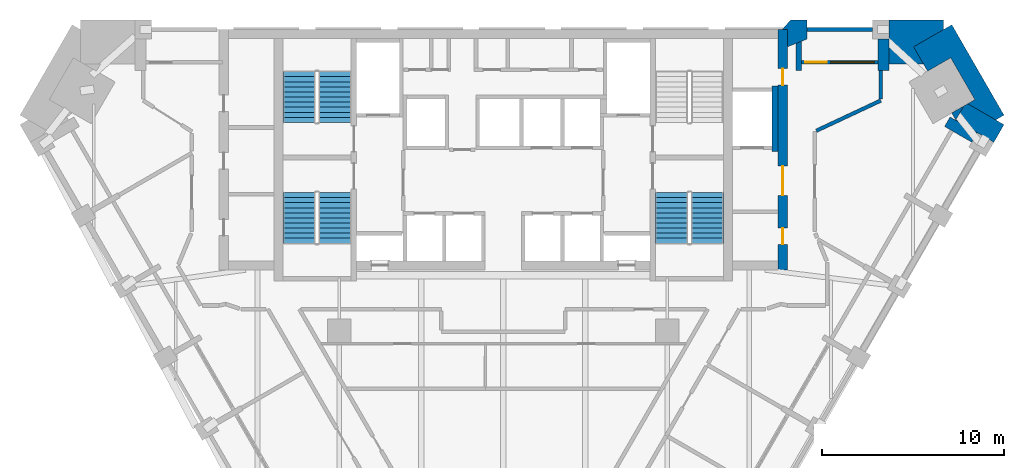
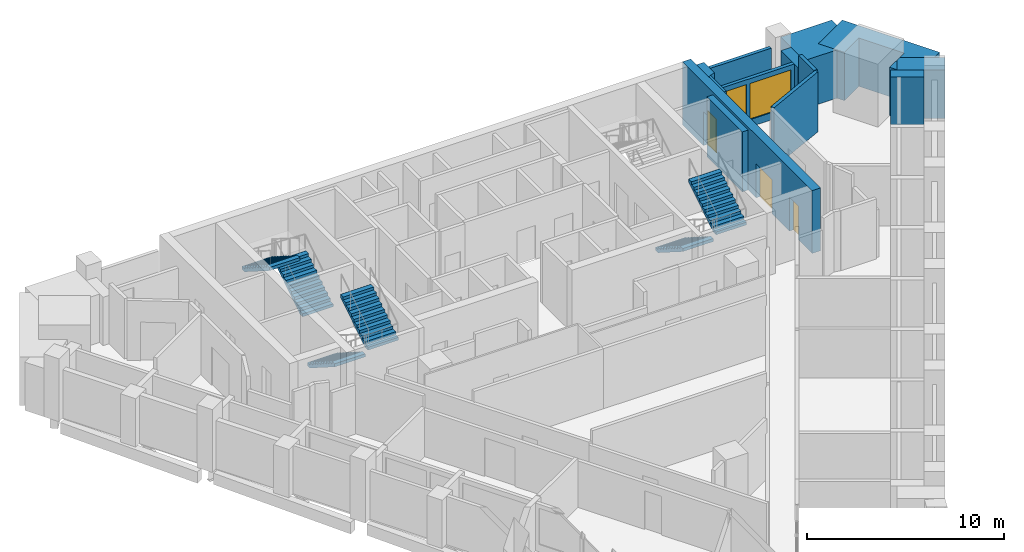
# One storey, part 8 of 10: 14 walls, 6 stair flights, 4 doors, 1 window, 5 openings, 3 elements without a shape of their own.
"""IFC4 building model written with IfcOpenShell, lengths in metres."""

from ifc_helpers import new_model, si_unit, direction, frame, frame_2d, origin, place, context, subcontext, project, spatial, polyline, rectangle, outline, extrude, faceted_brep, source, transform, mapped, material, layer, layer_set, type_object, element, fill, aggregate, save


model = new_model("IFC4")

# Units and contexts
model_context = context("Model", 3, precision=1e-05, world=origin(), true_north=direction((0.0, 1.0)))
body_context = subcontext(model_context, "Body", "Model", "MODEL_VIEW")
ifc_project = project(units=[si_unit("LENGTHUNIT", "METRE"), si_unit("AREAUNIT", "SQUARE_METRE"), si_unit("VOLUMEUNIT", "CUBIC_METRE"), si_unit("PLANEANGLEUNIT", "RADIAN"), si_unit("MASSUNIT", "GRAM", prefix="KILO")], contexts=[model_context])

# Site, building, storey
site_placement = place(None, origin())
site = spatial("IfcSite", under=ifc_project, at=site_placement, CompositionType="ELEMENT")
building_placement = place(site_placement, origin())
building = spatial("IfcBuilding", under=site, at=building_placement, Name="Calabash Gate Tower", CompositionType="ELEMENT")
storey_placement = place(building_placement, frame((0.0, 0.0, 175.800048828125)))
storey = spatial("IfcBuildingStorey", under=building, at=storey_placement, Name="L41", CompositionType="ELEMENT", Elevation=175.800048828125)

# Walls
ifc_material_1 = material(Name="Terracotta brick masonry, exposed face", Category="masonry")
ifc_layer_1 = layer(ifc_material_1, 2.425048828125)
ifc_layer_set_1 = layer_set([ifc_layer_1], Name="Brick corner mass wall 2425")
wall_type_1 = type_object("IfcWallType", Name="Brick corner mass wall 2425", PredefinedType="SOLIDWALL", material=ifc_layer_set_1)
wall_1_placement = place(storey_placement, origin())
element("IfcWall", 1, at=wall_1_placement, inside=storey, type_object=wall_type_1, Name="Brick corner pier S11 3a", PredefinedType="SOLIDWALL", context=body_context, shape_type="SweptSolid", body=[
    extrude(outline(polyline([(24.842529296875, 14.07275390625), (26.942626953125, 12.8603515625), (27.5009765625, 13.827392578125), (25.5068359375, 14.978759765625), (25.294921875, 14.8564453125), (24.842529296875, 14.07275390625)])), origin(), (0.0, 0.0, 1.0), 3.0),
])
wall_2_placement = place(storey_placement, origin())
element("IfcWall", 2, at=wall_2_placement, inside=storey, type_object=wall_type_1, Name="Brick corner pier S11 3ba", PredefinedType="SOLIDWALL", context=body_context, shape_type="SweptSolid", body=[
    extrude(outline(polyline([(24.852294921875, 14.08984375), (25.294921875, 14.8564453125), (24.631103515625, 14.47314453125), (24.852294921875, 14.08984375)])), origin(), (0.0, 0.0, 1.0), 3.0),
])
wall_3_placement = place(storey_placement, origin())
element("IfcWall", 3, at=wall_3_placement, inside=storey, type_object=wall_type_1, Name="Brick corner pier S11 3bb", PredefinedType="SOLIDWALL", context=body_context, shape_type="SweptSolid", body=[
    extrude(outline(polyline([(24.572021484375, 17.4990234375), (25.89697265625, 15.2041015625), (25.343994140625, 14.884765625), (25.5068359375, 14.978759765625), (27.04638671875, 14.08984375), (27.5009765625, 14.352294921875), (24.6357421875, 19.31494140625), (22.53564453125, 18.1025390625), (23.30615234375, 16.76806640625), (24.572021484375, 17.4990234375)])), origin(), (0.0, 0.0, 1.0), 3.0),
])
wall_4_placement = place(storey_placement, origin())
element("IfcWall", 4, at=wall_4_placement, inside=storey, type_object=wall_type_1, Name="Brick corner pier S11 3c", PredefinedType="SOLIDWALL", context=body_context, shape_type="SweptSolid", body=[
    extrude(outline(polyline([(21.1796875, 18.528076171875), (21.1796875, 17.152587890625), (23.084228515625, 17.152587890625), (22.53564453125, 18.1025390625), (24.18115234375, 19.052490234375), (24.18115234375, 19.57763671875), (21.179931640625, 19.57763671875), (21.179931640625, 18.528076171875), (21.1796875, 18.528076171875)])), origin(), (0.0, 0.0, 1.0), 3.0),
])
ifc_material_2 = material(Name="Terracotta brick masonry, exposed face", Category="masonry")
ifc_layer_2 = layer(ifc_material_2, 1.050048828125)
ifc_layer_set_2 = layer_set([ifc_layer_2], Name="Brick end wall 1050")
wall_type_2 = type_object("IfcWallType", Name="Brick end wall 1050", PredefinedType="SOLIDWALL", material=ifc_layer_set_2)
wall_5_placement = place(storey_placement, origin())
element("IfcWall", 5, at=wall_5_placement, inside=storey, type_object=wall_type_2, Name="Brick pier S11 N6.1", PredefinedType="SOLIDWALL", context=body_context, shape_type="SweptSolid", body=[
    extrude(outline(polyline([(15.60009765625, 18.104248046875), (16.6796875, 18.527587890625), (16.6796875, 19.57763671875), (15.779541015625, 19.57763671875), (15.319580078125, 19.052490234375), (15.60009765625, 19.052490234375), (15.60009765625, 18.104248046875)])), origin(), (0.0, 0.0, 1.0), 3.0),
])
ifc_material_3 = material(Name="Terracotta brick masonry, exposed face", Category="masonry")
ifc_layer_3 = layer(ifc_material_3, 0.300048828125)
ifc_layer_set_3 = layer_set([ifc_layer_3], Name="Brick loggia cheek wall 300")
wall_type_3 = type_object("IfcWallType", Name="Brick loggia cheek wall 300", PredefinedType="SOLIDWALL", material=ifc_layer_set_3)
wall_6_placement = place(storey_placement, frame((25.88330078125, 13.12548828125, 0.0), z_axis=(0.0, 0.0, 1.0), x_axis=(-0.866013532718, 0.500020560727, 0.0)))
element("IfcWall", 6, at=wall_6_placement, inside=storey, type_object=wall_type_3, Name="Loggia cheek S11 SE4.8", PredefinedType="SOLIDWALL", context=body_context, shape_type="SweptSolid", body=[
    extrude(rectangle(XDim=1.72509765625, YDim=0.60009765625, at=frame_2d((0.862548828125, 0.0))), origin(), (0.0, 0.0, 1.0), 3.0),
])
wall_7_placement = place(storey_placement, origin())
element("IfcWall", 7, at=wall_7_placement, inside=storey, type_object=wall_type_3, Name="Loggia cheek S11 N6.0", PredefinedType="SOLIDWALL", context=body_context, shape_type="SweptSolid", body=[
    extrude(outline(polyline([(21.1796875, 16.802490234375), (21.1796875, 18.527587890625), (20.57958984375, 18.527587890625), (20.57958984375, 16.802490234375), (21.1796875, 16.802490234375)])), origin(), (0.0, 0.0, 1.0), 3.0),
])
wall_8_placement = place(storey_placement, origin())
element("IfcWall", 8, at=wall_8_placement, inside=storey, type_object=wall_type_3, Name="Loggia cheek S11 N6.1", PredefinedType="SOLIDWALL", context=body_context, shape_type="SweptSolid", body=[
    extrude(outline(polyline([(16.07958984375, 18.292236328125), (16.07958984375, 16.802490234375), (16.379638671875, 16.802490234375), (16.379638671875, 18.409912109375), (16.07958984375, 18.292236328125)])), origin(), (0.0, 0.0, 1.0), 3.0),
])

# Wall, openings, doors
ifc_material_4 = material(Name="Concrete C70/85", Category="concrete")
ifc_layer_4 = layer(ifc_material_4, 0.5)
ifc_layer_set_4 = layer_set([ifc_layer_4], Name="Core wall 500 Concrete C70/85")
wall_type_4 = type_object("IfcWallType", Name="Core wall 500 Concrete C70/85", PredefinedType="SHEAR", material=ifc_layer_set_4)
wall_9_placement = place(storey_placement, frame((15.35009765625, 5.8525390625, 0.0), z_axis=(0.0, 0.0, 1.0), x_axis=(0.0, 1.0, 0.0)))
wall_9 = element("IfcWall", 9, at=wall_9_placement, inside=storey, type_object=wall_type_4, Name="Core wall Z3-ENDE L41", PredefinedType="SHEAR", context=body_context, shape_type="SweptSolid", body=[
    extrude(rectangle(XDim=13.199951171875, YDim=0.5, at=frame_2d((6.60009765625, 0.0))), origin(), (0.0, 0.0, 1.0), 3.89990234375),
])
opening_1_placement = place(wall_9_placement, frame((4.10009765625, 0.0, 0.0)))
opening_1 = element("IfcOpeningElement", 10, at=opening_1_placement, cuts=wall_9, Name="Opening O3-003", PredefinedType="OPENING", context=body_context, shape_type="SweptSolid", body=[
    extrude(rectangle(XDim=1.60009765625, YDim=2.10009765625, at=frame_2d((0.800048828125, 1.050048828125))), frame((0.0, 0.260009765625, 0.0), z_axis=(0.0, -1.0, 0.0), x_axis=(1.0, 0.0, 0.0)), (0.0, 0.0, 1.0), 0.52001953125),
])
opening_2_placement = place(wall_9_placement, frame((1.39990234375, 0.0, 0.0)))
opening_2 = element("IfcOpeningElement", 11, at=opening_2_placement, cuts=wall_9, Name="Opening O3-001", PredefinedType="OPENING", context=body_context, shape_type="SweptSolid", body=[
    extrude(rectangle(XDim=0.89990234375, YDim=2.10009765625, at=frame_2d((0.449951171875, 1.050048828125))), frame((0.0, 0.260009765625, 0.0), z_axis=(0.0, -1.0, 0.0), x_axis=(1.0, 0.0, 0.0)), (0.0, 0.0, 1.0), 0.52001953125),
])
opening_3_placement = place(wall_9_placement, frame((10.14990234375, 0.0, 0.0)))
opening_3 = element("IfcOpeningElement", 12, at=opening_3_placement, cuts=wall_9, Name="Opening O3-002", PredefinedType="OPENING", context=body_context, shape_type="SweptSolid", body=[
    extrude(rectangle(XDim=0.89990234375, YDim=2.10009765625, at=frame_2d((0.449951171875, 1.050048828125))), frame((0.0, 0.260009765625, 0.0), z_axis=(0.0, -1.0, 0.0), x_axis=(1.0, 0.0, 0.0)), (0.0, 0.0, 1.0), 0.52001953125),
])
ifc_material_5 = material(Name="Steel fire door set with fire-resisting glazing", Category="steel")
door_type_1 = type_object("IfcDoorType", Name="Double fire door D08 1600x2100 FD60", OperationType="DOUBLE_DOOR_SINGLE_SWING", PredefinedType="DOOR", material=ifc_material_5)
door_1_placement = place(opening_1_placement, origin())
door_1 = element("IfcDoor", 13, at=door_1_placement, inside=storey, type_object=door_type_1, Name="Service Lift Lobby E door", OperationType="DOUBLE_DOOR_SINGLE_SWING", OverallHeight=2.10009765625, OverallWidth=1.60009765625, PredefinedType="DOOR", context=body_context, shape_type="SweptSolid", body=[
    extrude(rectangle(XDim=1.60009765625, YDim=2.10009765625, at=frame_2d((0.800048828125, 1.050048828125))), frame((0.0, 0.02490234375, 0.0), z_axis=(0.0, -1.0, 0.0), x_axis=(1.0, 0.0, 0.0)), (0.0, 0.0, 1.0), 0.050048828125),
])
fill(opening_1, door_1)
ifc_material_6 = material(Name="Steel fire door set with fire-resisting glazing", Category="steel")
door_type_2 = type_object("IfcDoorType", Name="Fire door D06 900x2100 FD60", OperationType="NOTDEFINED", PredefinedType="DOOR", material=ifc_material_6)
door_2_placement = place(opening_2_placement, origin())
door_2 = element("IfcDoor", 14, at=door_2_placement, inside=storey, type_object=door_type_2, Name="Men's WC door", OperationType="SINGLE_SWING_RIGHT", OverallHeight=2.10009765625, OverallWidth=0.89990234375, PredefinedType="DOOR", context=body_context, shape_type="SweptSolid", body=[
    extrude(rectangle(XDim=0.89990234375, YDim=2.10009765625, at=frame_2d((0.449951171875, 1.050048828125))), frame((0.0, 0.02490234375, 0.0), z_axis=(0.0, -1.0, 0.0), x_axis=(1.0, 0.0, 0.0)), (0.0, 0.0, 1.0), 0.050048828125),
])
fill(opening_2, door_2)
door_3_placement = place(opening_3_placement, origin())
door_3 = element("IfcDoor", 15, at=door_3_placement, inside=storey, type_object=door_type_2, Name="Tenant Pantry door", OperationType="SINGLE_SWING_LEFT", OverallHeight=2.10009765625, OverallWidth=0.89990234375, PredefinedType="DOOR", context=body_context, shape_type="SweptSolid", body=[
    extrude(rectangle(XDim=0.89990234375, YDim=2.10009765625, at=frame_2d((0.449951171875, 1.050048828125))), frame((0.0, 0.02490234375, 0.0), z_axis=(0.0, -1.0, 0.0), x_axis=(1.0, 0.0, 0.0)), (0.0, 0.0, 1.0), 0.050048828125),
])
fill(opening_3, door_3)

# Walls
ifc_material_7 = material(Name="Gypsum board on steel studs, mineral wool", Category="steel")
ifc_layer_5 = layer(ifc_material_7, 0.199951171875)
ifc_layer_set_5 = layer_set([ifc_layer_5], Name="Partition 200 gypsum board EI 60")
wall_type_5 = type_object("IfcWallType", Name="Partition 200 gypsum board EI 60", PredefinedType="PARTITIONING", material=ifc_layer_set_5)
wall_10_placement = place(storey_placement, frame((17.191162109375, 13.49462890625, 0.0), z_axis=(0.0, 0.0, 1.0), x_axis=(0.905591697206, 0.424150536898, 0.0)))
element("IfcWall", 16, at=wall_10_placement, inside=storey, type_object=wall_type_5, Name="Partition", PredefinedType="PARTITIONING", context=body_context, shape_type="SweptSolid", body=[
    extrude(rectangle(XDim=3.90771484375, YDim=0.199951171875, at=frame_2d((1.953857421875, 0.0))), origin(), (0.0, 0.0, 1.0), 3.72998046875),
])
wall_11_placement = place(storey_placement, frame((20.72998046875, 15.252197265625, 0.0), z_axis=(0.0, 0.0, 1.0), x_axis=(0.000157480313, 0.9999999876, 0.0)))
element("IfcWall", 17, at=wall_11_placement, inside=storey, type_object=wall_type_5, Name="Partition", PredefinedType="PARTITIONING", context=body_context, shape_type="SweptSolid", body=[
    extrude(rectangle(XDim=1.55029296875, YDim=0.199951171875, at=frame_2d((0.775146484375, 0.0))), origin(), (0.0, 0.0, 1.0), 3.72998046875),
])
ifc_material_8 = material(Name="Concrete C40/50", Category="concrete")
ifc_layer_6 = layer(ifc_material_8, 0.199951171875)
ifc_layer_set_6 = layer_set([ifc_layer_6], Name="Shaft wall 200 Concrete C40/50")
wall_type_6 = type_object("IfcWallType", Name="Shaft wall 200 Concrete C40/50", PredefinedType="SOLIDWALL", material=ifc_layer_set_6)
wall_12_placement = place(storey_placement, frame((14.925048828125, 12.3525390625, 0.0), z_axis=(0.0, 0.0, 1.0), x_axis=(0.0, 1.0, 0.0)))
element("IfcWall", 18, at=wall_12_placement, inside=storey, type_object=wall_type_6, Name="Shaft wall", PredefinedType="SOLIDWALL", context=body_context, shape_type="SweptSolid", body=[
    extrude(rectangle(XDim=3.60009765625, YDim=0.35009765625, at=frame_2d((1.800048828125, 0.0))), origin(), (0.0, 0.0, 1.0), 3.72998046875),
])
ifc_material_9 = material(Name="Terracotta brick masonry, perforated", Category="masonry")
ifc_layer_7 = layer(ifc_material_9, 0.199951171875)
ifc_layer_set_7 = layer_set([ifc_layer_7], Name="Terracotta jaali screen A")
wall_type_7 = type_object("IfcWallType", Name="Terracotta jaali screen A", PredefinedType="SOLIDWALL", material=ifc_layer_set_7)
wall_13_placement = place(storey_placement, frame((20.279541015625, 19.052490234375, 0.0), z_axis=(0.0, 0.0, 1.0), x_axis=(-1.0, 0.0, 0.0)))
element("IfcWall", 19, at=wall_13_placement, inside=storey, type_object=wall_type_7, Name="SCREEN A S11 N6.1", PredefinedType="SOLIDWALL", context=body_context, shape_type="SweptSolid", body=[
    extrude(rectangle(XDim=3.599853515625, YDim=0.199951171875, at=frame_2d((1.7998046875, 0.0))), origin(), (0.0, 0.0, 1.0), 3.0),
])

# Wall, openings, door, window
ifc_material_10 = material(Name="Aluminium framed window wall with insulated spandrel", Category="aluminium")
ifc_layer_8 = layer(ifc_material_10, 0.199951171875)
ifc_layer_set_8 = layer_set([ifc_layer_8], Name="Window wall 200")
wall_type_8 = type_object("IfcWallType", Name="Window wall 200", PredefinedType="ELEMENTEDWALL", material=ifc_layer_set_8)
wall_14_placement = place(storey_placement, frame((20.57958984375, 17.25244140625, 0.0), z_axis=(0.0, 0.0, 1.0), x_axis=(-1.0, 0.0, 0.0)))
wall_14 = element("IfcWall", 20, at=wall_14_placement, inside=storey, type_object=wall_type_8, Name="Window wall S11 N6.1", PredefinedType="ELEMENTEDWALL", context=body_context, shape_type="SweptSolid", body=[
    extrude(rectangle(XDim=4.199951171875, YDim=0.199951171875, at=frame_2d((2.10009765625, 0.0))), origin(), (0.0, 0.0, 1.0), 3.0),
])
opening_4_placement = place(wall_14_placement, frame((0.199951171875, 0.0, 0.449951171875)))
opening_4 = element("IfcOpeningElement", 21, at=opening_4_placement, cuts=wall_14, Name="Opening OW1", PredefinedType="OPENING", context=body_context, shape_type="SweptSolid", body=[
    extrude(rectangle(XDim=2.39990234375, YDim=2.25, at=frame_2d((1.199951171875, 1.125))), frame((0.0, 0.10986328125, 0.0), z_axis=(0.0, -1.0, 0.0), x_axis=(1.0, 0.0, 0.0)), (0.0, 0.0, 1.0), 0.219970703125),
])
opening_5_placement = place(wall_14_placement, frame((2.800048828125, 0.0, 0.0)))
opening_5 = element("IfcOpeningElement", 22, at=opening_5_placement, cuts=wall_14, Name="Opening O3-021", PredefinedType="OPENING", context=body_context, shape_type="SweptSolid", body=[
    extrude(rectangle(XDim=1.199951171875, YDim=2.699951171875, at=frame_2d((0.60009765625, 1.35009765625))), frame((0.0, 0.10986328125, 0.0), z_axis=(0.0, -1.0, 0.0), x_axis=(1.0, 0.0, 0.0)), (0.0, 0.0, 1.0), 0.219970703125),
])
ifc_material_11 = material(Name="Anodised aluminium frame, bronze finish, impact-rated laminated clear glazing", Category="aluminium")
door_type_3 = type_object("IfcDoorType", Name="Loggia door DO1 1200x2700", OperationType="SLIDING_TO_LEFT", PredefinedType="DOOR", material=ifc_material_11)
door_4_placement = place(opening_5_placement, origin())
door_4 = element("IfcDoor", 23, at=door_4_placement, inside=storey, type_object=door_type_3, Name="Loggia door S11 N6.1", OperationType="SINGLE_SWING_LEFT", OverallHeight=2.699951171875, OverallWidth=1.199951171875, PredefinedType="DOOR", context=body_context, shape_type="SweptSolid", body=[
    extrude(rectangle(XDim=1.199951171875, YDim=2.699951171875, at=frame_2d((0.60009765625, 1.35009765625))), frame((0.0, 0.02490234375, 0.0), z_axis=(0.0, -1.0, 0.0), x_axis=(1.0, 0.0, 0.0)), (0.0, 0.0, 1.0), 0.050048828125),
])
fill(opening_5, door_4)
ifc_material_12 = material(Name="Anodised aluminium frame, bronze finish, impact-rated laminated clear glazing", Category="aluminium")
window_type = type_object("IfcWindowType", Name="Window OW1 2400x2250", PartitioningType="DOUBLE_PANEL_VERTICAL", PredefinedType="WINDOW", material=ifc_material_12)
window_placement = place(opening_4_placement, origin())
window = element("IfcWindow", 24, at=window_placement, inside=storey, type_object=window_type, Name="Window OW1 S11 N6.1", OverallHeight=2.25, OverallWidth=2.39990234375, PartitioningType="SINGLE_PANEL", PredefinedType="WINDOW", context=body_context, shape_type="SweptSolid", body=[
    extrude(rectangle(XDim=2.39990234375, YDim=2.25, at=frame_2d((1.199951171875, 1.125))), frame((0.0, 0.030029296875, 0.0), z_axis=(0.0, -1.0, 0.0), x_axis=(1.0, 0.0, 0.0)), (0.0, 0.0, 1.0), 0.06005859375),
])
fill(opening_4, window)

# Stair, stair flights
ifc_material_13 = material(Name="Concrete C40/50", Category="concrete")
stair_type = type_object("IfcStairType", Name="Exit stair 22 risers of 177.3 mm", PredefinedType="HALF_TURN_STAIR", material=ifc_material_13)
stair_1_placement = place(storey_placement, origin())
stair_1 = element("IfcStair", 25, at=stair_1_placement, inside=storey, type_object=stair_type, Name="L41 Exit stair ST1", PredefinedType="HALF_TURN_STAIR")
ifc_material_14 = material(Name="Concrete C40/50", Category="concrete")
stair_flight_type = type_object("IfcStairFlightType", Name="Exit stair flight SFL", PredefinedType="STRAIGHT", material=ifc_material_14)
shared_shape = source(origin(), body_context, "Body", "Brep", [
    faceted_brep([(-0.0009765625, -0.89990234375, 0.0), (0.279541015625, -0.89990234375, 0.0), (2.791015625, -0.89990234375, 1.59521484375), (-0.0009765625, 0.89990234375, 0.0), (2.791015625, 0.89990234375, 1.59521484375), (0.279541015625, 0.89990234375, 0.0), (2.791015625, -0.89990234375, 1.78466796875), (2.7900390625, -0.89990234375, 1.78466796875), (2.7900390625, 0.89990234375, 1.78466796875), (2.791015625, 0.89990234375, 1.78466796875), (2.7900390625, -0.89990234375, 1.772705078125), (2.7900390625, 0.89990234375, 1.772705078125), (2.510986328125, -0.89990234375, 1.772705078125), (2.510986328125, 0.89990234375, 1.772705078125), (2.510986328125, -0.89990234375, 1.595458984375), (2.510986328125, 0.89990234375, 1.595458984375), (2.23193359375, -0.89990234375, 1.595458984375), (2.23193359375, 0.89990234375, 1.595458984375), (2.23193359375, -0.89990234375, 1.418212890625), (2.23193359375, 0.89990234375, 1.418212890625), (1.952880859375, -0.89990234375, 1.418212890625), (1.952880859375, -0.89990234375, 1.240966796875), (1.952880859375, 0.89990234375, 1.240966796875), (1.952880859375, 0.89990234375, 1.418212890625), (1.674072265625, -0.89990234375, 1.240966796875), (1.674072265625, -0.89990234375, 1.063720703125), (1.674072265625, 0.89990234375, 1.063720703125), (1.674072265625, 0.89990234375, 1.240966796875), (1.39501953125, -0.89990234375, 1.063720703125), (1.39501953125, -0.89990234375, 0.886474609375), (1.39501953125, 0.89990234375, 0.886474609375), (1.39501953125, 0.89990234375, 1.063720703125), (1.115966796875, -0.89990234375, 0.886474609375), (1.115966796875, -0.89990234375, 0.708984375), (1.115966796875, 0.89990234375, 0.708984375), (1.115966796875, 0.89990234375, 0.886474609375), (0.8369140625, -0.89990234375, 0.708984375), (0.8369140625, -0.89990234375, 0.53173828125), (0.8369140625, 0.89990234375, 0.53173828125), (0.8369140625, 0.89990234375, 0.708984375), (0.55810546875, -0.89990234375, 0.53173828125), (0.55810546875, -0.89990234375, 0.3544921875), (0.55810546875, 0.89990234375, 0.3544921875), (0.55810546875, 0.89990234375, 0.53173828125), (0.279052734375, -0.89990234375, 0.3544921875), (0.279052734375, -0.89990234375, 0.17724609375), (0.279052734375, 0.89990234375, 0.17724609375), (0.279052734375, 0.89990234375, 0.3544921875), (-0.0009765625, -0.89990234375, 0.17724609375), (-0.0009765625, 0.89990234375, 0.17724609375), (0.279541015625, -0.360107421875, 0.0), (2.791015625, -0.360107421875, 1.59521484375), (0.279541015625, 0.0, 0.0), (2.791015625, 0.0, 1.59521484375), (0.279541015625, 0.360107421875, 0.0), (2.791015625, 0.360107421875, 1.59521484375), (2.791015625, -0.360107421875, 1.78466796875), (2.791015625, 0.0, 1.78466796875), (2.791015625, 0.360107421875, 1.78466796875), (2.7900390625, -0.360107421875, 1.78466796875), (2.7900390625, 0.0, 1.78466796875), (2.7900390625, 0.360107421875, 1.78466796875), (2.7900390625, -0.360107421875, 1.772705078125), (2.7900390625, 0.0, 1.772705078125), (2.7900390625, 0.360107421875, 1.772705078125), (2.510986328125, -0.360107421875, 1.772705078125), (2.510986328125, 0.0, 1.772705078125), (2.510986328125, 0.360107421875, 1.772705078125), (2.510986328125, -0.360107421875, 1.595458984375), (2.510986328125, 0.0, 1.595458984375), (2.510986328125, 0.360107421875, 1.595458984375), (2.23193359375, -0.360107421875, 1.595458984375), (2.23193359375, 0.0, 1.595458984375), (2.23193359375, 0.360107421875, 1.595458984375), (2.23193359375, -0.360107421875, 1.418212890625), (2.23193359375, 0.0, 1.418212890625), (2.23193359375, 0.360107421875, 1.418212890625), (1.952880859375, -0.360107421875, 1.418212890625), (1.952880859375, 0.0, 1.418212890625), (1.952880859375, 0.360107421875, 1.418212890625), (1.952880859375, -0.360107421875, 1.240966796875), (1.952880859375, 0.0, 1.240966796875), (1.952880859375, 0.360107421875, 1.240966796875), (1.674072265625, -0.360107421875, 1.240966796875), (1.674072265625, 0.0, 1.240966796875), (1.674072265625, 0.360107421875, 1.240966796875), (1.674072265625, -0.360107421875, 1.063720703125), (1.674072265625, 0.0, 1.063720703125), (1.674072265625, 0.360107421875, 1.063720703125), (1.39501953125, -0.360107421875, 1.063720703125), (1.39501953125, 0.0, 1.063720703125), (1.39501953125, 0.360107421875, 1.063720703125), (1.39501953125, -0.360107421875, 0.886474609375), (1.39501953125, 0.0, 0.886474609375), (1.39501953125, 0.360107421875, 0.886474609375), (1.115966796875, -0.360107421875, 0.886474609375), (1.115966796875, 0.0, 0.886474609375), (1.115966796875, 0.360107421875, 0.886474609375), (1.115966796875, -0.360107421875, 0.708984375), (1.115966796875, 0.0, 0.708984375), (1.115966796875, 0.360107421875, 0.708984375), (0.8369140625, -0.360107421875, 0.708984375), (0.8369140625, 0.0, 0.708984375), (0.8369140625, 0.360107421875, 0.708984375), (0.8369140625, -0.360107421875, 0.53173828125), (0.8369140625, 0.0, 0.53173828125), (0.8369140625, 0.360107421875, 0.53173828125), (0.55810546875, -0.360107421875, 0.53173828125), (0.55810546875, 0.0, 0.53173828125), (0.55810546875, 0.360107421875, 0.53173828125), (0.55810546875, -0.360107421875, 0.3544921875), (0.55810546875, 0.0, 0.3544921875), (0.55810546875, 0.360107421875, 0.3544921875), (0.279052734375, -0.360107421875, 0.3544921875), (0.279052734375, 0.0, 0.3544921875), (0.279052734375, 0.360107421875, 0.3544921875), (0.279052734375, -0.360107421875, 0.17724609375), (0.279052734375, 0.0, 0.17724609375), (0.279052734375, 0.360107421875, 0.17724609375), (-0.0009765625, -0.360107421875, 0.17724609375), (-0.0009765625, 0.0, 0.17724609375), (-0.0009765625, 0.360107421875, 0.17724609375), (-0.0009765625, -0.360107421875, 0.0), (-0.0009765625, 0.0, 0.0), (-0.0009765625, 0.360107421875, 0.0)], [[[0, 1, 2]], [[3, 4, 5]], [[2, 6, 7]], [[4, 8, 9]], [[2, 7, 10]], [[4, 11, 8]], [[2, 10, 12]], [[4, 13, 11]], [[2, 12, 14]], [[4, 15, 13]], [[2, 14, 16]], [[4, 17, 15]], [[2, 16, 18]], [[4, 19, 17]], [[18, 20, 21]], [[19, 22, 23]], [[2, 18, 21]], [[4, 22, 19]], [[21, 24, 25]], [[22, 26, 27]], [[2, 21, 25]], [[4, 26, 22]], [[25, 28, 29]], [[26, 30, 31]], [[2, 25, 29]], [[4, 30, 26]], [[29, 32, 33]], [[30, 34, 35]], [[2, 29, 33]], [[4, 34, 30]], [[33, 36, 37]], [[34, 38, 39]], [[2, 33, 37]], [[4, 38, 34]], [[37, 40, 41]], [[38, 42, 43]], [[2, 37, 41]], [[4, 42, 38]], [[41, 44, 45]], [[42, 46, 47]], [[2, 41, 45]], [[4, 46, 42]], [[0, 2, 45]], [[3, 46, 4]], [[45, 48, 0]], [[46, 3, 49]], [[1, 50, 2]], [[50, 51, 2]], [[50, 52, 51]], [[52, 53, 51]], [[52, 54, 55]], [[52, 55, 53]], [[54, 5, 4]], [[54, 4, 55]], [[2, 51, 6]], [[51, 56, 6]], [[51, 53, 56]], [[53, 57, 56]], [[53, 55, 58]], [[53, 58, 57]], [[55, 4, 9]], [[55, 9, 58]], [[6, 56, 7]], [[56, 59, 7]], [[56, 57, 59]], [[57, 60, 59]], [[57, 58, 61]], [[57, 61, 60]], [[58, 9, 8]], [[58, 8, 61]], [[7, 59, 10]], [[59, 62, 10]], [[59, 60, 62]], [[60, 63, 62]], [[60, 61, 64]], [[60, 64, 63]], [[61, 8, 11]], [[61, 11, 64]], [[10, 62, 12]], [[62, 65, 12]], [[62, 63, 65]], [[63, 66, 65]], [[63, 64, 67]], [[63, 67, 66]], [[64, 11, 13]], [[64, 13, 67]], [[12, 65, 14]], [[65, 68, 14]], [[65, 66, 68]], [[66, 69, 68]], [[66, 67, 70]], [[66, 70, 69]], [[67, 13, 15]], [[67, 15, 70]], [[14, 68, 16]], [[68, 71, 16]], [[68, 69, 71]], [[69, 72, 71]], [[69, 70, 73]], [[69, 73, 72]], [[70, 15, 17]], [[70, 17, 73]], [[16, 71, 18]], [[71, 74, 18]], [[71, 72, 74]], [[72, 75, 74]], [[72, 73, 76]], [[72, 76, 75]], [[73, 17, 19]], [[73, 19, 76]], [[18, 74, 20]], [[74, 77, 20]], [[74, 75, 77]], [[75, 78, 77]], [[75, 76, 79]], [[75, 79, 78]], [[76, 19, 23]], [[76, 23, 79]], [[20, 77, 21]], [[77, 80, 21]], [[77, 78, 80]], [[78, 81, 80]], [[78, 79, 82]], [[78, 82, 81]], [[79, 23, 22]], [[79, 22, 82]], [[21, 80, 24]], [[80, 83, 24]], [[80, 81, 83]], [[81, 84, 83]], [[81, 82, 85]], [[81, 85, 84]], [[82, 22, 27]], [[82, 27, 85]], [[24, 83, 25]], [[83, 86, 25]], [[83, 84, 86]], [[84, 87, 86]], [[84, 85, 88]], [[84, 88, 87]], [[85, 27, 26]], [[85, 26, 88]], [[25, 86, 28]], [[86, 89, 28]], [[86, 87, 89]], [[87, 90, 89]], [[87, 88, 91]], [[87, 91, 90]], [[88, 26, 31]], [[88, 31, 91]], [[28, 89, 29]], [[89, 92, 29]], [[89, 90, 92]], [[90, 93, 92]], [[90, 91, 94]], [[90, 94, 93]], [[91, 31, 30]], [[91, 30, 94]], [[29, 92, 32]], [[92, 95, 32]], [[92, 93, 95]], [[93, 96, 95]], [[93, 94, 97]], [[93, 97, 96]], [[94, 30, 35]], [[94, 35, 97]], [[32, 95, 33]], [[95, 98, 33]], [[95, 96, 98]], [[96, 99, 98]], [[96, 97, 100]], [[96, 100, 99]], [[97, 35, 34]], [[97, 34, 100]], [[33, 98, 36]], [[98, 101, 36]], [[98, 99, 101]], [[99, 102, 101]], [[99, 100, 103]], [[99, 103, 102]], [[100, 34, 39]], [[100, 39, 103]], [[36, 101, 37]], [[101, 104, 37]], [[101, 102, 104]], [[102, 105, 104]], [[102, 103, 106]], [[102, 106, 105]], [[103, 39, 38]], [[103, 38, 106]], [[37, 104, 40]], [[104, 107, 40]], [[104, 105, 107]], [[105, 108, 107]], [[105, 106, 109]], [[105, 109, 108]], [[106, 38, 43]], [[106, 43, 109]], [[40, 107, 41]], [[107, 110, 41]], [[107, 108, 110]], [[108, 111, 110]], [[108, 109, 112]], [[108, 112, 111]], [[109, 43, 42]], [[109, 42, 112]], [[41, 110, 44]], [[110, 113, 44]], [[110, 111, 113]], [[111, 114, 113]], [[111, 112, 115]], [[111, 115, 114]], [[112, 42, 47]], [[112, 47, 115]], [[44, 113, 45]], [[113, 116, 45]], [[113, 114, 116]], [[114, 117, 116]], [[114, 115, 118]], [[114, 118, 117]], [[115, 47, 46]], [[115, 46, 118]], [[45, 116, 48]], [[116, 119, 48]], [[116, 117, 119]], [[117, 120, 119]], [[117, 118, 121]], [[117, 121, 120]], [[118, 46, 49]], [[118, 49, 121]], [[48, 119, 0]], [[119, 122, 0]], [[119, 120, 122]], [[120, 123, 122]], [[120, 121, 124]], [[120, 124, 123]], [[121, 49, 3]], [[121, 3, 124]], [[0, 122, 1]], [[122, 50, 1]], [[122, 123, 50]], [[123, 52, 50]], [[123, 124, 54]], [[123, 54, 52]], [[124, 3, 5]], [[124, 5, 54]]]),
])
stair_flight_1_placement = place(storey_placement, frame((-9.25, 13.95263671875, 0.0), z_axis=(0.0, 0.0, 1.0), x_axis=(0.0, 1.0, 0.0)))
stair_flight_1 = element("IfcStairFlight", 26, at=stair_flight_1_placement, type_object=stair_flight_type, Name="ST1 flight 1", NumberOfRisers=11, NumberOfTreads=10, PredefinedType="STRAIGHT", RiserHeight=0.177272727, TreadLength=0.279, context=body_context, shape_type="MappedRepresentation", body=[
    mapped(shared_shape, transform((0.0, 0.0, 0.0), scale=1.0)),
])
stair_flight_2_placement = place(storey_placement, frame((-11.199951171875, 16.74267578125, 1.949951171875), z_axis=(0.0, 0.0, 1.0), x_axis=(0.0, -1.0, 0.0)))
stair_flight_2 = element("IfcStairFlight", 27, at=stair_flight_2_placement, type_object=stair_flight_type, Name="ST1 flight 2", NumberOfRisers=11, NumberOfTreads=10, PredefinedType="STRAIGHT", RiserHeight=0.177272727, TreadLength=0.279, context=body_context, shape_type="MappedRepresentation", body=[
    mapped(shared_shape, transform((0.0, 0.0, 0.0), scale=1.0)),
])
aggregate(stair_1, [stair_flight_1, stair_flight_2])

stair_2_placement = place(storey_placement, origin())
stair_2 = element("IfcStair", 28, at=stair_2_placement, inside=storey, type_object=stair_type, Name="L41 Exit stair ST2", PredefinedType="HALF_TURN_STAIR")
stair_flight_3_placement = place(storey_placement, frame((-11.199951171875, 10.1025390625, 0.0), z_axis=(0.0, 0.0, 1.0), x_axis=(0.0, -1.0, 0.0)))
stair_flight_3 = element("IfcStairFlight", 29, at=stair_flight_3_placement, type_object=stair_flight_type, Name="ST2 flight 1", NumberOfRisers=11, NumberOfTreads=10, PredefinedType="STRAIGHT", RiserHeight=0.177272727, TreadLength=0.279, context=body_context, shape_type="MappedRepresentation", body=[
    mapped(shared_shape, transform((0.0, 0.0, 0.0), scale=1.0)),
])
stair_flight_4_placement = place(storey_placement, frame((-9.25, 7.3125, 1.949951171875), z_axis=(0.0, 0.0, 1.0), x_axis=(0.0, 1.0, 0.0)))
stair_flight_4 = element("IfcStairFlight", 30, at=stair_flight_4_placement, type_object=stair_flight_type, Name="ST2 flight 2", NumberOfRisers=11, NumberOfTreads=10, PredefinedType="STRAIGHT", RiserHeight=0.177272727, TreadLength=0.279, context=body_context, shape_type="MappedRepresentation", body=[
    mapped(shared_shape, transform((0.0, 0.0, 0.0), scale=1.0)),
])
aggregate(stair_2, [stair_flight_3, stair_flight_4])

stair_3_placement = place(storey_placement, origin())
stair_3 = element("IfcStair", 31, at=stair_3_placement, inside=storey, type_object=stair_type, Name="L41 Exit stair ST4", PredefinedType="HALF_TURN_STAIR")
stair_flight_5_placement = place(storey_placement, frame((9.25, 10.1025390625, 0.0), z_axis=(0.0, 0.0, 1.0), x_axis=(0.0, -1.0, 0.0)))
stair_flight_5 = element("IfcStairFlight", 32, at=stair_flight_5_placement, type_object=stair_flight_type, Name="ST4 flight 1", NumberOfRisers=11, NumberOfTreads=10, PredefinedType="STRAIGHT", RiserHeight=0.177272727, TreadLength=0.279, context=body_context, shape_type="MappedRepresentation", body=[
    mapped(shared_shape, transform((0.0, 0.0, 0.0), scale=1.0)),
])
stair_flight_6_placement = place(storey_placement, frame((11.199951171875, 7.3125, 1.949951171875), z_axis=(0.0, 0.0, 1.0), x_axis=(0.0, 1.0, 0.0)))
stair_flight_6 = element("IfcStairFlight", 33, at=stair_flight_6_placement, type_object=stair_flight_type, Name="ST4 flight 2", NumberOfRisers=11, NumberOfTreads=10, PredefinedType="STRAIGHT", RiserHeight=0.177272727, TreadLength=0.279, context=body_context, shape_type="MappedRepresentation", body=[
    mapped(shared_shape, transform((0.0, 0.0, 0.0), scale=1.0)),
])
aggregate(stair_3, [stair_flight_5, stair_flight_6])

save(model, "model.ifc")
